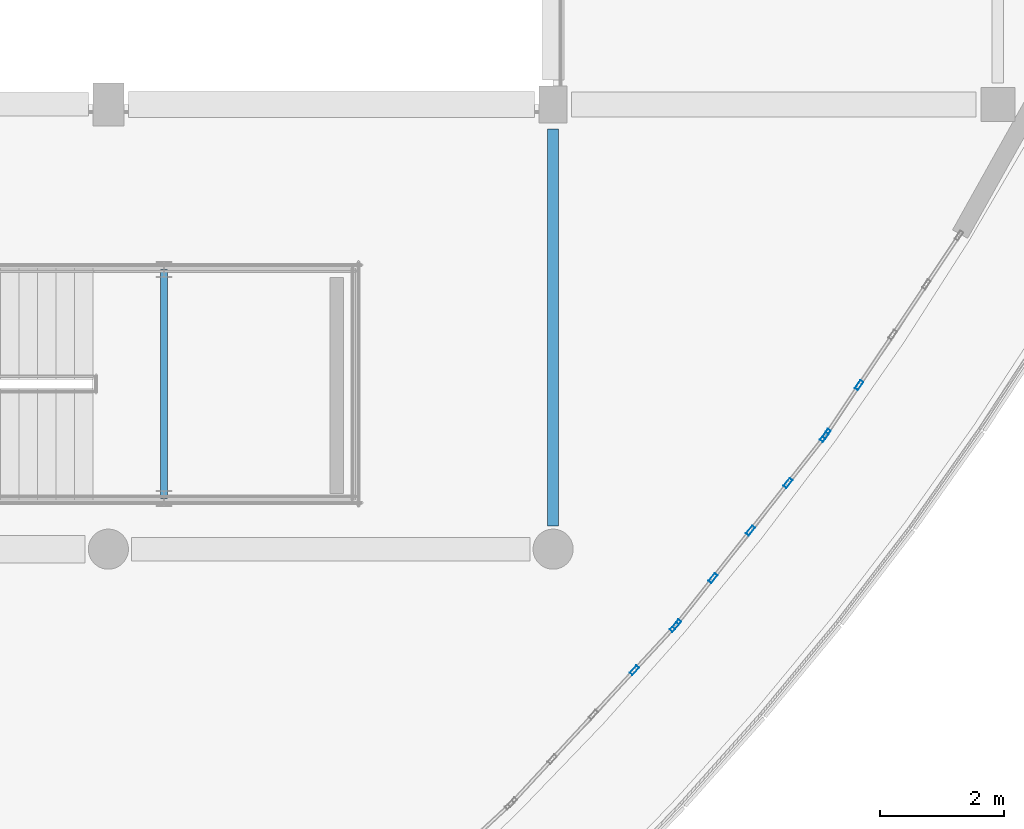
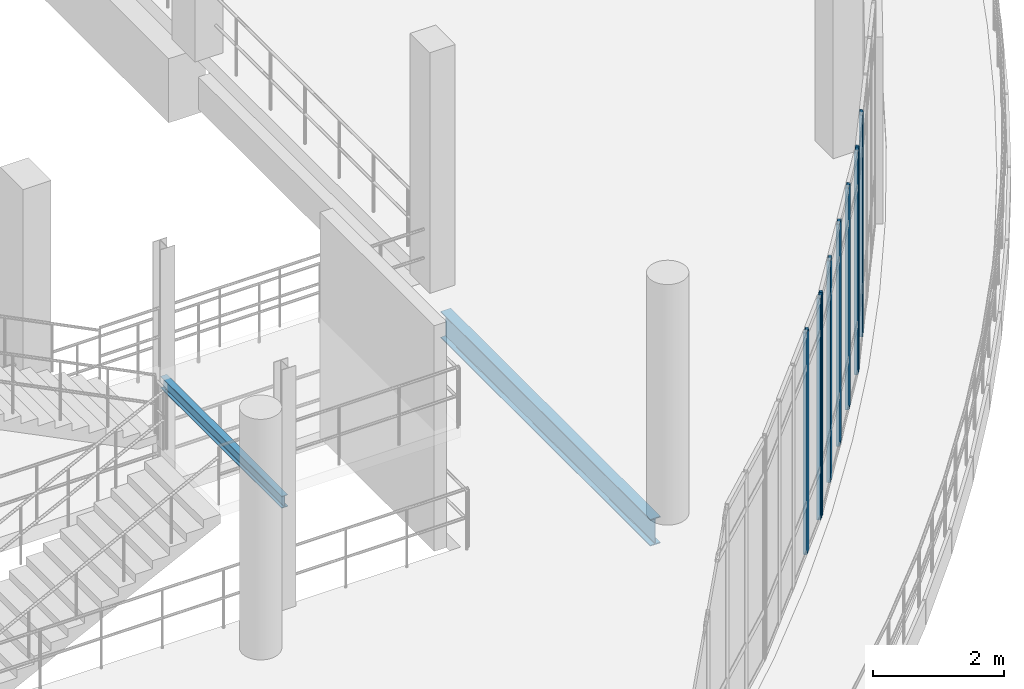
# One storey, part 32 of 134: 9 members, 2 beams, 3 elements without a shape of their own.
"""IFC4 building model written with IfcOpenShell, lengths in metres."""

from ifc_helpers import new_model, si_unit, direction, frame, origin, origin_2d, place, context, subcontext, project, spatial, hollow_rectangle, i_section, extrude, material, material_profile, profile_set, type_object, element, aggregate, save


model = new_model("IFC4")

# Units and contexts
model_context = context("Model", 3, precision=1e-05, world=origin(), true_north=direction((0.0, 1.0)))
body_context = subcontext(model_context, "Body", "Model", "MODEL_VIEW")
ifc_project = project(units=[si_unit("LENGTHUNIT", "METRE"), si_unit("AREAUNIT", "SQUARE_METRE"), si_unit("VOLUMEUNIT", "CUBIC_METRE"), si_unit("PLANEANGLEUNIT", "RADIAN"), si_unit("MASSUNIT", "GRAM", prefix="KILO")], contexts=[model_context])

# Site, building, storey
site_placement = place(None, origin())
site = spatial("IfcSite", under=ifc_project, at=site_placement, CompositionType="ELEMENT")
building_placement = place(site_placement, origin())
building = spatial("IfcBuilding", under=site, at=building_placement, Name="Kalluvel Institute of Natural Sciences", CompositionType="ELEMENT")
storey_placement = place(building_placement, frame((0.0, 0.0, 5.39990234375)))
storey = spatial("IfcBuildingStorey", under=building, at=storey_placement, Name="L01", CompositionType="ELEMENT", Elevation=5.39990234375)

# Beams
ifc_material_1 = material(Name="Steel E350 Grade 350", Category="steel")
ifc_material_profile_1 = material_profile(ifc_material_1, i_section(OverallWidth=0.110107421875, OverallDepth=0.22509765625, WebThickness=0.006591796875, FlangeThickness=0.01171875, FilletRadius=0.011962890625, at=origin_2d()), Name="ISMB 225")
ifc_profile_set_1 = profile_set([ifc_material_profile_1], Name="Steel E350 Grade 350")
beam_type_1 = type_object("IfcBeamType", Name="BM-ISMB225", PredefinedType="BEAM", material=ifc_profile_set_1)
beam_1_placement = place(storey_placement, frame((65.300048828125, 72.419921875, 1.925048828125), z_axis=(0.0, 1.0, 0.0), x_axis=(-1.0, 0.0, 0.0)))
element("IfcBeam", 1, at=beam_1_placement, inside=storey, type_object=beam_type_1, Name="L01 Atrium feature stair landing header beam", PredefinedType="BEAM", context=body_context, shape_type="SweptSolid", body=[
    extrude(i_section(OverallWidth=0.110107421875, OverallDepth=0.22509765625, WebThickness=0.006591796875, FlangeThickness=0.01171875, FilletRadius=0.011962890625, at=origin_2d()), origin(), (0.0, 0.0, 1.0), 3.7099609375),
])
ifc_material_profile_2 = material_profile(ifc_material_1, i_section(OverallWidth=0.179931640625, OverallDepth=0.5, WebThickness=0.01025390625, FlangeThickness=0.01708984375, FilletRadius=0.01708984375, at=origin_2d()), Name="ISMB 500")
ifc_profile_set_2 = profile_set([ifc_material_profile_2], Name="Steel E350 Grade 350")
beam_type_2 = type_object("IfcBeamType", Name="BM-ISMB500", PredefinedType="BEAM", material=ifc_profile_set_2)
beam_2_placement = place(storey_placement, frame((71.60009765625, 71.97509765625, -0.56982421875), z_axis=(0.0, 1.0, 0.0), x_axis=(-1.0, 0.0, 0.0)))
element("IfcBeam", 2, at=beam_2_placement, inside=storey, type_object=beam_type_2, Name="L01 girder GIR-L01-NS-X716-Y716", PredefinedType="BEAM", context=body_context, shape_type="SweptSolid", body=[
    extrude(i_section(OverallWidth=0.179931640625, OverallDepth=0.5, WebThickness=0.01025390625, FlangeThickness=0.01708984375, FilletRadius=0.01708984375, at=origin_2d()), origin(), (0.0, 0.0, 1.0), 6.4248046875),
])

# Curtain wall, members
ifc_material_2 = material(Name="Aluminium AW-6063 T6", Category="aluminium")
curtain_wall_type = type_object("IfcCurtainWallType", Name="CW-ATR-ARC", PredefinedType="USERDEFINED", material=ifc_material_2)
curtain_wall_1_placement = place(storey_placement, origin())
curtain_wall_1 = element("IfcCurtainWall", 3, at=curtain_wall_1_placement, inside=storey, type_object=curtain_wall_type, Name="L01 Gothic lancet curtain wall CWA-L01-X709-Y675", ObjectType="UNITISED LANCET FACADE", PredefinedType="USERDEFINED")
ifc_material_profile_3 = material_profile(ifc_material_2, hollow_rectangle(XDim=0.06005859375, YDim=0.159912109375, WallThickness=0.00390625, at=origin_2d()), Name="CWM 60x160")
ifc_profile_set_3 = profile_set([ifc_material_profile_3], Name="Aluminium AW-6063 T6")
member_type = type_object("IfcMemberType", Name="CWM-60x160", PredefinedType="MULLION", material=ifc_profile_set_3)
member_1_placement = place(storey_placement, frame((72.916748046875, 69.64013671875, 0.0), z_axis=(0.0, 0.0, 1.0), x_axis=(-0.734327218735, 0.678795651006, 0.0)))
member_1 = element("IfcMember", 4, at=member_1_placement, type_object=member_type, Name="CW-05 mullion 4", PredefinedType="MULLION", context=body_context, shape_type="SweptSolid", body=[
    extrude(hollow_rectangle(XDim=0.06005859375, YDim=0.159912109375, WallThickness=0.00390625, at=origin_2d()), origin(), (0.0, 0.0, 1.0), 4.150146484375),
])
member_2_placement = place(storey_placement, frame((73.56201171875, 70.338134765625, 0.0), z_axis=(0.0, 0.0, 1.0), x_axis=(-0.734327218735, 0.678795651006, 0.0)))
member_2 = element("IfcMember", 5, at=member_2_placement, type_object=member_type, Name="CW-05 mullion 5", PredefinedType="MULLION", context=body_context, shape_type="SweptSolid", body=[
    extrude(hollow_rectangle(XDim=0.06005859375, YDim=0.159912109375, WallThickness=0.00390625, at=origin_2d()), origin(), (0.0, 0.0, 1.0), 4.150146484375),
])
aggregate(curtain_wall_1, [member_1, member_2])

curtain_wall_2_placement = place(storey_placement, origin())
curtain_wall_2 = element("IfcCurtainWall", 6, at=curtain_wall_2_placement, inside=storey, type_object=curtain_wall_type, Name="L01 Gothic lancet curtain wall CWA-L01-X736-Y704", ObjectType="UNITISED LANCET FACADE", PredefinedType="USERDEFINED")
member_3_placement = place(storey_placement, frame((73.600830078125, 70.383544921875, 0.0), z_axis=(0.0, 0.0, 1.0), x_axis=(-0.785313982838, 0.619097688866, 0.0)))
member_3 = element("IfcMember", 7, at=member_3_placement, type_object=member_type, Name="CW-05 mullion 1", PredefinedType="MULLION", context=body_context, shape_type="SweptSolid", body=[
    extrude(hollow_rectangle(XDim=0.06005859375, YDim=0.159912109375, WallThickness=0.00390625, at=origin_2d()), origin(), (0.0, 0.0, 1.0), 4.150146484375),
])
member_4_placement = place(storey_placement, frame((74.189208984375, 71.130126953125, 0.0), z_axis=(0.0, 0.0, 1.0), x_axis=(-0.785313982838, 0.619097688866, 0.0)))
member_4 = element("IfcMember", 8, at=member_4_placement, type_object=member_type, Name="CW-05 mullion 2", PredefinedType="MULLION", context=body_context, shape_type="SweptSolid", body=[
    extrude(hollow_rectangle(XDim=0.06005859375, YDim=0.159912109375, WallThickness=0.00390625, at=origin_2d()), origin(), (0.0, 0.0, 1.0), 4.150146484375),
])
member_5_placement = place(storey_placement, frame((74.79638671875, 71.900146484375, 0.0), z_axis=(0.0, 0.0, 1.0), x_axis=(-0.785313982838, 0.619097688866, 0.0)))
member_5 = element("IfcMember", 9, at=member_5_placement, type_object=member_type, Name="CW-05 mullion 3", PredefinedType="MULLION", context=body_context, shape_type="SweptSolid", body=[
    extrude(hollow_rectangle(XDim=0.06005859375, YDim=0.159912109375, WallThickness=0.00390625, at=origin_2d()), origin(), (0.0, 0.0, 1.0), 4.150146484375),
])
member_6_placement = place(storey_placement, frame((75.4033203125, 72.670166015625, 0.0), z_axis=(0.0, 0.0, 1.0), x_axis=(-0.785313982838, 0.619097688866, 0.0)))
member_6 = element("IfcMember", 10, at=member_6_placement, type_object=member_type, Name="CW-05 mullion 4", PredefinedType="MULLION", context=body_context, shape_type="SweptSolid", body=[
    extrude(hollow_rectangle(XDim=0.06005859375, YDim=0.159912109375, WallThickness=0.00390625, at=origin_2d()), origin(), (0.0, 0.0, 1.0), 4.150146484375),
])
member_7_placement = place(storey_placement, frame((75.991943359375, 73.41650390625, 0.0), z_axis=(0.0, 0.0, 1.0), x_axis=(-0.785313982838, 0.619097688866, 0.0)))
member_7 = element("IfcMember", 11, at=member_7_placement, type_object=member_type, Name="CW-05 mullion 5", PredefinedType="MULLION", context=body_context, shape_type="SweptSolid", body=[
    extrude(hollow_rectangle(XDim=0.06005859375, YDim=0.159912109375, WallThickness=0.00390625, at=origin_2d()), origin(), (0.0, 0.0, 1.0), 4.150146484375),
])
aggregate(curtain_wall_2, [member_3, member_4, member_5, member_6, member_7])

curtain_wall_3_placement = place(storey_placement, origin())
curtain_wall_3 = element("IfcCurtainWall", 12, at=curtain_wall_3_placement, inside=storey, type_object=curtain_wall_type, Name="L01 Gothic lancet curtain wall CWA-L01-X760-Y734", ObjectType="UNITISED LANCET FACADE", PredefinedType="USERDEFINED")
member_8_placement = place(storey_placement, frame((76.027099609375, 73.465087890625, 0.0), z_axis=(0.0, 0.0, 1.0), x_axis=(-0.831469300908, 0.555570699054, 0.0)))
member_8 = element("IfcMember", 13, at=member_8_placement, type_object=member_type, Name="CW-05 mullion 1", PredefinedType="MULLION", context=body_context, shape_type="SweptSolid", body=[
    extrude(hollow_rectangle(XDim=0.06005859375, YDim=0.159912109375, WallThickness=0.00390625, at=origin_2d()), origin(), (0.0, 0.0, 1.0), 4.150146484375),
])
member_9_placement = place(storey_placement, frame((76.55517578125, 74.25537109375, 0.0), z_axis=(0.0, 0.0, 1.0), x_axis=(-0.831469300908, 0.555570699054, 0.0)))
member_9 = element("IfcMember", 14, at=member_9_placement, type_object=member_type, Name="CW-05 mullion 2", PredefinedType="MULLION", context=body_context, shape_type="SweptSolid", body=[
    extrude(hollow_rectangle(XDim=0.06005859375, YDim=0.159912109375, WallThickness=0.00390625, at=origin_2d()), origin(), (0.0, 0.0, 1.0), 4.150146484375),
])
aggregate(curtain_wall_3, [member_8, member_9])

save(model, "model.ifc")
